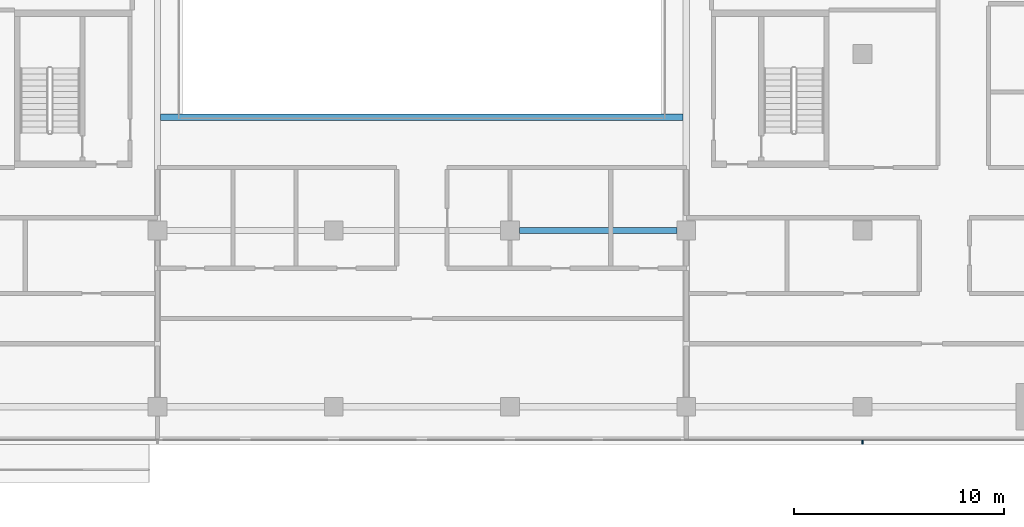
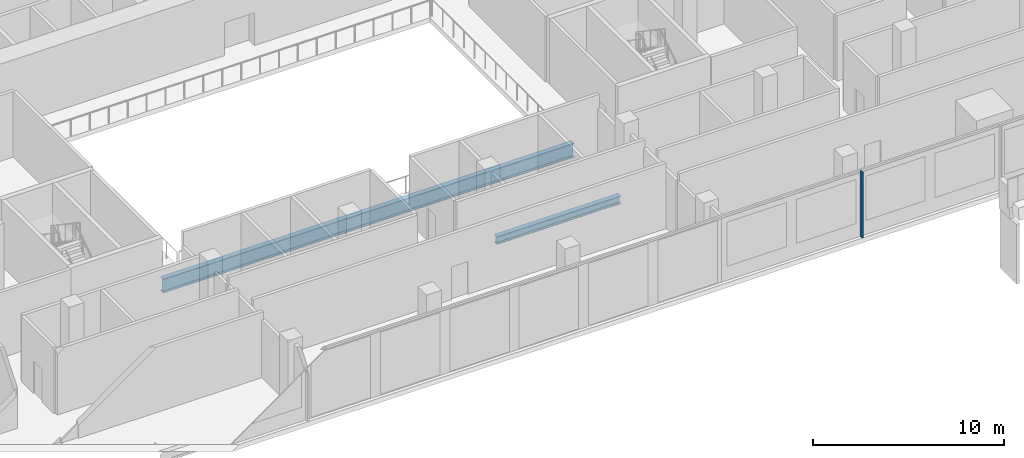
# One storey, part 4 of 23: 2 beams, 1 member, 1 element without a shape of its own.
"""IFC4 building model written with IfcOpenShell, lengths in metres."""

from ifc_helpers import new_model, si_unit, direction, frame, origin, origin_2d, place, context, subcontext, project, spatial, rectangle, i_section, extrude, material, material_profile, profile_set, type_object, element, aggregate, save


model = new_model("IFC4")

# Units and contexts
model_context = context("Model", 3, precision=1e-05, world=origin(), true_north=direction((0.0, 1.0)))
body_context = subcontext(model_context, "Body", "Model", "MODEL_VIEW")
ifc_project = project(units=[si_unit("LENGTHUNIT", "METRE"), si_unit("AREAUNIT", "SQUARE_METRE"), si_unit("VOLUMEUNIT", "CUBIC_METRE"), si_unit("PLANEANGLEUNIT", "RADIAN"), si_unit("MASSUNIT", "GRAM", prefix="KILO")], contexts=[model_context])

# Site, building, storey
site_placement = place(None, origin())
site = spatial("IfcSite", under=ifc_project, at=site_placement, CompositionType="ELEMENT")
building_placement = place(site_placement, origin())
building = spatial("IfcBuilding", under=site, at=building_placement, Name="Saffron Gate Tower", CompositionType="ELEMENT")
storey_placement = place(building_placement, frame((0.0, 0.0, 23.699951171875)))
storey = spatial("IfcBuildingStorey", under=building, at=storey_placement, Name="L04", CompositionType="ELEMENT", Elevation=23.699951171875)

# Beams
ifc_material_1 = material(Name="Structural steel S355", Category="steel")
ifc_material_profile_1 = material_profile(ifc_material_1, i_section(OverallWidth=0.300048828125, OverallDepth=0.89990234375, WebThickness=0.0185546875, FlangeThickness=0.034912109375, FilletRadius=0.030029296875, at=origin_2d()))
ifc_profile_set_1 = profile_set([ifc_material_profile_1], Name="Structural steel S355")
beam_type_1 = type_object("IfcBeamType", Name="B20 HEB 900", PredefinedType="BEAM", material=ifc_profile_set_1)
beam_1_placement = place(storey_placement, frame((75.14990234375, 45.60009765625, -0.75), z_axis=(1.0, 0.0, 0.0), x_axis=(0.0, 1.0, 0.0)))
element("IfcBeam", 1, at=beam_1_placement, inside=storey, type_object=beam_type_1, Name="B20 ATRIUM GIRDER", PredefinedType="BEAM", context=body_context, shape_type="SweptSolid", body=[
    extrude(i_section(OverallWidth=0.300048828125, OverallDepth=0.89990234375, WebThickness=0.0185546875, FlangeThickness=0.034912109375, FilletRadius=0.030029296875, at=origin_2d()), origin(), (0.0, 0.0, 1.0), 24.900146484375),
])
ifc_material_profile_2 = material_profile(ifc_material_1, i_section(OverallWidth=0.300048828125, OverallDepth=0.5, WebThickness=0.014404296875, FlangeThickness=0.028076171875, FilletRadius=0.027099609375, at=origin_2d()))
ifc_profile_set_2 = profile_set([ifc_material_profile_2], Name="Structural steel S355")
beam_type_2 = type_object("IfcBeamType", Name="B9 HEB 500", PredefinedType="BEAM", material=ifc_profile_set_2)
beam_2_placement = place(storey_placement, frame((92.25, 40.199951171875, -0.550048828125), z_axis=(1.0, 0.0, 0.0), x_axis=(0.0, 1.0, 0.0)))
element("IfcBeam", 2, at=beam_2_placement, inside=storey, type_object=beam_type_2, Name="B9 FLOOR GIRDER", PredefinedType="BEAM", context=body_context, shape_type="SweptSolid", body=[
    extrude(i_section(OverallWidth=0.300048828125, OverallDepth=0.5, WebThickness=0.014404296875, FlangeThickness=0.028076171875, FilletRadius=0.027099609375, at=origin_2d()), origin(), (0.0, 0.0, 1.0), 7.5),
])

# Curtain wall, member
ifc_material_2 = material(Name="Aluminium, bronze anodised", Category="aluminium")
curtain_wall_type = type_object("IfcCurtainWallType", Name="CWS6 curtain wall tall storeys", PredefinedType="NOTDEFINED", material=ifc_material_2)
curtain_wall_placement = place(storey_placement, origin())
curtain_wall = element("IfcCurtainWall", 3, at=curtain_wall_placement, inside=storey, type_object=curtain_wall_type, Name="CWS6 run 1", PredefinedType="NOTDEFINED")
ifc_material_profile_3 = material_profile(ifc_material_2, rectangle(XDim=0.199951171875, YDim=0.080078125, at=origin_2d()))
ifc_profile_set_3 = profile_set([ifc_material_profile_3], Name="Aluminium, bronze anodised")
member_type = type_object("IfcMemberType", Name="CWS6 mullion 80x200", PredefinedType="MULLION", material=ifc_profile_set_3)
member_placement = place(storey_placement, frame((108.60009765625, 30.10009765625, 0.0), z_axis=(0.0, 0.0, 1.0), x_axis=(0.0, 1.0, 0.0)))
member = element("IfcMember", 4, at=member_placement, type_object=member_type, Name="CWS6 mullion 8", PredefinedType="MULLION", context=body_context, shape_type="SweptSolid", body=[
    extrude(rectangle(XDim=0.199951171875, YDim=0.080078125, at=origin_2d()), origin(), (0.0, 0.0, 1.0), 4.199951171875),
])
aggregate(curtain_wall, [member])

save(model, "model.ifc")
